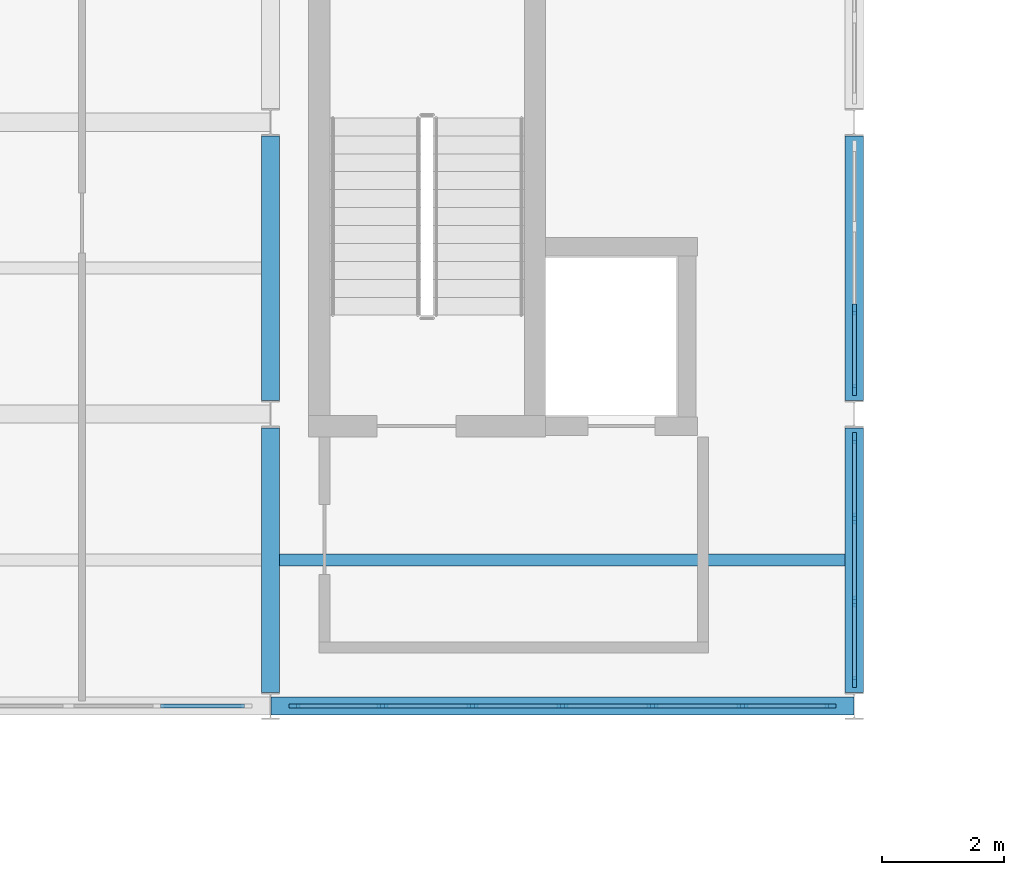
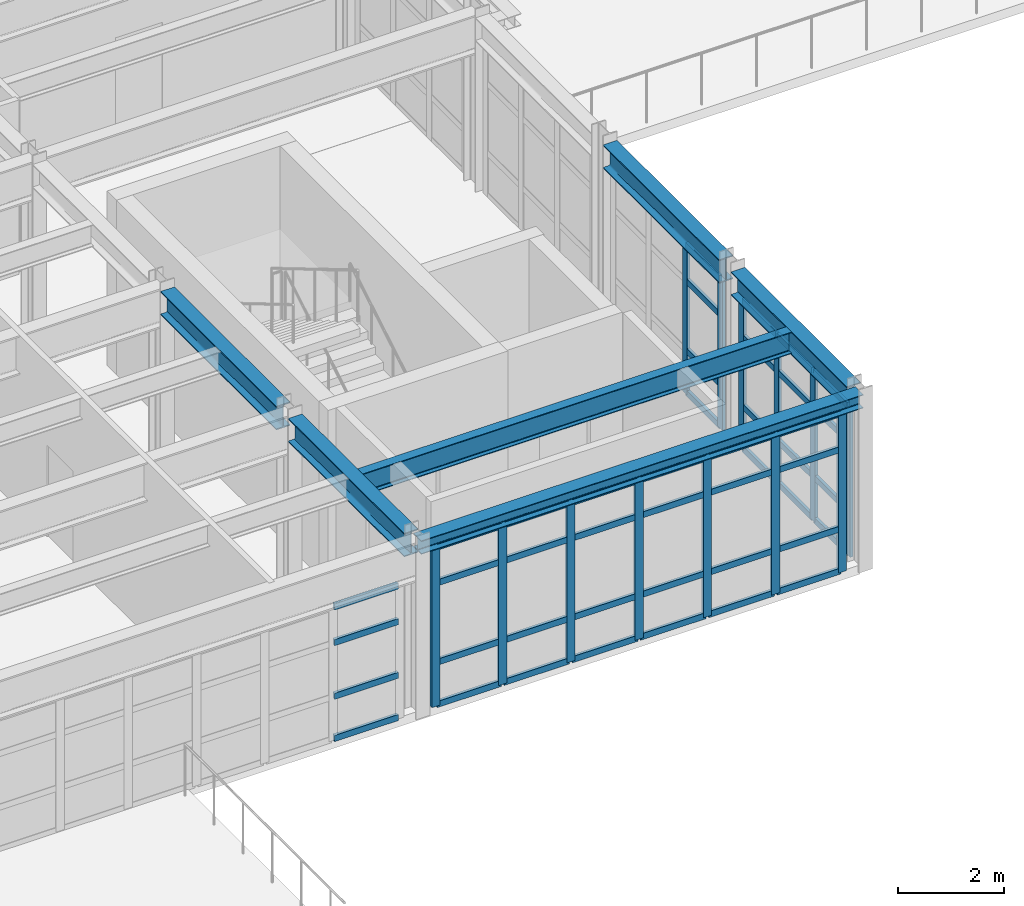
# One storey, part 15 of 47: 57 members, 6 beams, 4 elements without a shape of their own.
"""IFC4 building model written with IfcOpenShell, lengths in metres."""

from ifc_helpers import new_model, si_unit, direction, frame, origin, origin_2d, place, context, subcontext, project, spatial, rectangle, i_section, extrude, material, layer, layer_set, material_profile, profile_set, type_object, element, aggregate, save


model = new_model("IFC4")

# Units and contexts
model_context = context("Model", 3, precision=1e-05, world=origin(), true_north=direction((0.0, 1.0)))
body_context = subcontext(model_context, "Body", "Model", "MODEL_VIEW")
ifc_project = project(units=[si_unit("LENGTHUNIT", "METRE"), si_unit("AREAUNIT", "SQUARE_METRE"), si_unit("VOLUMEUNIT", "CUBIC_METRE"), si_unit("PLANEANGLEUNIT", "RADIAN"), si_unit("MASSUNIT", "GRAM", prefix="KILO")], contexts=[model_context])

# Site, building, storey
site_placement = place(None, origin())
site = spatial("IfcSite", under=ifc_project, at=site_placement, CompositionType="ELEMENT")
building_placement = place(site_placement, origin())
building = spatial("IfcBuilding", under=site, at=building_placement, Name="Nordkorset Police Headquarters", CompositionType="ELEMENT")
storey_placement = place(building_placement, frame((0.0, 0.0, 22.050048828125)))
storey = spatial("IfcBuildingStorey", under=building, at=storey_placement, Name="L05", CompositionType="ELEMENT", Elevation=22.050048828125)

# Beam
ifc_material_1 = material(Name="Steel S355J2", Category="steel")
ifc_material_profile_1 = material_profile(ifc_material_1, i_section(OverallWidth=0.199951171875, OverallDepth=0.5, WebThickness=0.01025390625, FlangeThickness=0.01611328125, FilletRadius=0.02099609375, at=origin_2d()), Name="IPE 500")
ifc_profile_set_1 = profile_set([ifc_material_profile_1], Name="Steel S355J2")
beam_type_1 = type_object("IfcBeamType", Name="Beam_IPE_500", PredefinedType="BEAM", material=ifc_profile_set_1)
beam_1_placement = place(storey_placement, frame((19.35009765625, 85.60009765625, 3.75), z_axis=(1.0, 0.0, 0.0), x_axis=(0.0, 1.0, 0.0)))
element("IfcBeam", 1, at=beam_1_placement, inside=storey, type_object=beam_type_1, Name="Composite Floor Beam V1 L05 1-0-1", PredefinedType="BEAM", context=body_context, shape_type="SweptSolid", body=[
    extrude(i_section(OverallWidth=0.199951171875, OverallDepth=0.5, WebThickness=0.01025390625, FlangeThickness=0.01611328125, FilletRadius=0.02099609375, at=origin_2d()), origin(), (0.0, 0.0, 1.0), 9.2998046875),
])

# Curtain wall, members
ifc_material_2 = material(Name="Aluminium alloy AW-6060", Category="aluminium")
ifc_layer_1 = layer(ifc_material_2, 0.179931640625, Name="Aluminium alloy AW-6060")
ifc_layer_set_1 = layer_set([ifc_layer_1], Name="Aluminium alloy AW-6060")
curtain_wall_type_1 = type_object("IfcCurtainWallType", Name="CW_Unit_408x344", PredefinedType="USERDEFINED", material=ifc_layer_set_1)
curtain_wall_1_placement = place(storey_placement, origin())
curtain_wall_1 = element("IfcCurtainWall", 2, at=curtain_wall_1_placement, inside=storey, type_object=curtain_wall_type_1, Name="Unitised Curtain Wall L05 V1E-0", ObjectType="UNITISED CURTAIN WALL", PredefinedType="USERDEFINED")
ifc_material_3 = material(Name="Aluminium alloy AW-6060", Category="aluminium")
ifc_material_profile_2 = material_profile(ifc_material_3, rectangle(XDim=0.06494140625, YDim=0.179931640625, at=origin_2d()), Name="ALU MULL 65x180")
ifc_profile_set_2 = profile_set([ifc_material_profile_2], Name="Aluminium alloy AW-6060")
member_type_1 = type_object("IfcMemberType", Name="CW_Mullion_65x180", PredefinedType="MULLION", material=ifc_profile_set_2)
member_1_placement = place(storey_placement, frame((28.800048828125, 83.592529296875, 0.0), z_axis=(0.0, 0.0, 1.0), x_axis=(-1.0, 0.0, 0.0)))
member_1 = element("IfcMember", 3, at=member_1_placement, type_object=member_type_1, Name="CW-29 mullion 1", PredefinedType="MULLION", context=body_context, shape_type="SweptSolid", body=[
    extrude(rectangle(XDim=0.06494140625, YDim=0.179931640625, at=origin_2d()), origin(), (0.0, 0.0, 1.0), 3.43994140625),
])
member_2_placement = place(storey_placement, frame((28.800048828125, 84.919921875, 0.0), z_axis=(0.0, 0.0, 1.0), x_axis=(-1.0, 0.0, 0.0)))
member_2 = element("IfcMember", 4, at=member_2_placement, type_object=member_type_1, Name="CW-29 mullion 2", PredefinedType="MULLION", context=body_context, shape_type="SweptSolid", body=[
    extrude(rectangle(XDim=0.06494140625, YDim=0.179931640625, at=origin_2d()), origin(), (0.0, 0.0, 1.0), 3.43994140625),
])
member_3_placement = place(storey_placement, frame((28.800048828125, 86.280029296875, 0.0), z_axis=(0.0, 0.0, 1.0), x_axis=(-1.0, 0.0, 0.0)))
member_3 = element("IfcMember", 5, at=member_3_placement, type_object=member_type_1, Name="CW-29 mullion 3", PredefinedType="MULLION", context=body_context, shape_type="SweptSolid", body=[
    extrude(rectangle(XDim=0.06494140625, YDim=0.179931640625, at=origin_2d()), origin(), (0.0, 0.0, 1.0), 3.43994140625),
])
member_4_placement = place(storey_placement, frame((28.800048828125, 87.607421875, 0.0), z_axis=(0.0, 0.0, 1.0), x_axis=(-1.0, 0.0, 0.0)))
member_4 = element("IfcMember", 6, at=member_4_placement, type_object=member_type_1, Name="CW-29 mullion 4", PredefinedType="MULLION", context=body_context, shape_type="SweptSolid", body=[
    extrude(rectangle(XDim=0.06494140625, YDim=0.179931640625, at=origin_2d()), origin(), (0.0, 0.0, 1.0), 3.43994140625),
])

curtain_wall_2_placement = place(storey_placement, origin())
curtain_wall_2 = element("IfcCurtainWall", 7, at=curtain_wall_2_placement, inside=storey, type_object=curtain_wall_type_1, Name="Unitised Curtain Wall L05 V1E-1", ObjectType="UNITISED CURTAIN WALL", PredefinedType="USERDEFINED")
member_5_placement = place(storey_placement, frame((28.800048828125, 88.392578125, 0.0), z_axis=(0.0, 0.0, 1.0), x_axis=(-1.0, 0.0, 0.0)))
member_5 = element("IfcMember", 8, at=member_5_placement, type_object=member_type_1, Name="CW-29 mullion 1", PredefinedType="MULLION", context=body_context, shape_type="SweptSolid", body=[
    extrude(rectangle(XDim=0.06494140625, YDim=0.179931640625, at=origin_2d()), origin(), (0.0, 0.0, 1.0), 3.43994140625),
])
member_6_placement = place(storey_placement, frame((28.800048828125, 89.719970703125, 0.0), z_axis=(0.0, 0.0, 1.0), x_axis=(-1.0, 0.0, 0.0)))
member_6 = element("IfcMember", 9, at=member_6_placement, type_object=member_type_1, Name="CW-29 mullion 2", PredefinedType="MULLION", context=body_context, shape_type="SweptSolid", body=[
    extrude(rectangle(XDim=0.06494140625, YDim=0.179931640625, at=origin_2d()), origin(), (0.0, 0.0, 1.0), 3.43994140625),
])

ifc_material_4 = material(Name="Aluminium alloy AW-6060", Category="aluminium")
ifc_layer_2 = layer(ifc_material_4, 0.179931640625, Name="Aluminium alloy AW-6060")
ifc_layer_set_2 = layer_set([ifc_layer_2], Name="Aluminium alloy AW-6060")
curtain_wall_type_2 = type_object("IfcCurtainWallType", Name="CW_Unit_888x367", PredefinedType="USERDEFINED", material=ifc_layer_set_2)
curtain_wall_3_placement = place(storey_placement, origin())
curtain_wall_3 = element("IfcCurtainWall", 10, at=curtain_wall_3_placement, inside=storey, type_object=curtain_wall_type_2, Name="Unitised Curtain Wall L05 V1S-2", ObjectType="UNITISED CURTAIN WALL", PredefinedType="USERDEFINED")
member_7_placement = place(storey_placement, frame((19.592529296875, 83.199951171875, 0.0), z_axis=(0.0, 0.0, 1.0), x_axis=(0.0, 1.0, 0.0)))
member_7 = element("IfcMember", 11, at=member_7_placement, type_object=member_type_1, Name="CW-91 mullion 1", PredefinedType="MULLION", context=body_context, shape_type="SweptSolid", body=[
    extrude(rectangle(XDim=0.06494140625, YDim=0.179931640625, at=origin_2d()), origin(), (0.0, 0.0, 1.0), 3.669921875),
])
member_8_placement = place(storey_placement, frame((21.0400390625, 83.199951171875, 0.0), z_axis=(0.0, 0.0, 1.0), x_axis=(0.0, 1.0, 0.0)))
member_8 = element("IfcMember", 12, at=member_8_placement, type_object=member_type_1, Name="CW-91 mullion 2", PredefinedType="MULLION", context=body_context, shape_type="SweptSolid", body=[
    extrude(rectangle(XDim=0.06494140625, YDim=0.179931640625, at=origin_2d()), origin(), (0.0, 0.0, 1.0), 3.669921875),
])
member_9_placement = place(storey_placement, frame((22.52001953125, 83.199951171875, 0.0), z_axis=(0.0, 0.0, 1.0), x_axis=(0.0, 1.0, 0.0)))
member_9 = element("IfcMember", 13, at=member_9_placement, type_object=member_type_1, Name="CW-91 mullion 3", PredefinedType="MULLION", context=body_context, shape_type="SweptSolid", body=[
    extrude(rectangle(XDim=0.06494140625, YDim=0.179931640625, at=origin_2d()), origin(), (0.0, 0.0, 1.0), 3.669921875),
])
member_10_placement = place(storey_placement, frame((24.0, 83.199951171875, 0.0), z_axis=(0.0, 0.0, 1.0), x_axis=(0.0, 1.0, 0.0)))
member_10 = element("IfcMember", 14, at=member_10_placement, type_object=member_type_1, Name="CW-91 mullion 4", PredefinedType="MULLION", context=body_context, shape_type="SweptSolid", body=[
    extrude(rectangle(XDim=0.06494140625, YDim=0.179931640625, at=origin_2d()), origin(), (0.0, 0.0, 1.0), 3.669921875),
])
member_11_placement = place(storey_placement, frame((25.47998046875, 83.199951171875, 0.0), z_axis=(0.0, 0.0, 1.0), x_axis=(0.0, 1.0, 0.0)))
member_11 = element("IfcMember", 15, at=member_11_placement, type_object=member_type_1, Name="CW-91 mullion 5", PredefinedType="MULLION", context=body_context, shape_type="SweptSolid", body=[
    extrude(rectangle(XDim=0.06494140625, YDim=0.179931640625, at=origin_2d()), origin(), (0.0, 0.0, 1.0), 3.669921875),
])
member_12_placement = place(storey_placement, frame((26.9599609375, 83.199951171875, 0.0), z_axis=(0.0, 0.0, 1.0), x_axis=(0.0, 1.0, 0.0)))
member_12 = element("IfcMember", 16, at=member_12_placement, type_object=member_type_1, Name="CW-91 mullion 6", PredefinedType="MULLION", context=body_context, shape_type="SweptSolid", body=[
    extrude(rectangle(XDim=0.06494140625, YDim=0.179931640625, at=origin_2d()), origin(), (0.0, 0.0, 1.0), 3.669921875),
])
member_13_placement = place(storey_placement, frame((28.407470703125, 83.199951171875, 0.0), z_axis=(0.0, 0.0, 1.0), x_axis=(0.0, 1.0, 0.0)))
member_13 = element("IfcMember", 17, at=member_13_placement, type_object=member_type_1, Name="CW-91 mullion 7", PredefinedType="MULLION", context=body_context, shape_type="SweptSolid", body=[
    extrude(rectangle(XDim=0.06494140625, YDim=0.179931640625, at=origin_2d()), origin(), (0.0, 0.0, 1.0), 3.669921875),
])

# Member
ifc_material_5 = material(Name="Aluminium alloy AW-6060", Category="aluminium")
ifc_material_profile_3 = material_profile(ifc_material_5, rectangle(XDim=0.06494140625, YDim=0.139892578125, at=origin_2d()), Name="ALU TRAN 65x140")
ifc_profile_set_3 = profile_set([ifc_material_profile_3], Name="Aluminium alloy AW-6060")
member_type_2 = type_object("IfcMemberType", Name="CW_Transom_65x140", PredefinedType="USERDEFINED", material=ifc_profile_set_3)
member_14_placement = place(storey_placement, frame((28.800048828125, 83.625, 0.032470703125), z_axis=(0.0, 1.0, 0.0), x_axis=(-1.0, 0.0, 0.0)))
member_14 = element("IfcMember", 18, at=member_14_placement, type_object=member_type_2, Name="CW-29 transom 1.1", ObjectType="TRANSOM", PredefinedType="USERDEFINED", context=body_context, shape_type="SweptSolid", body=[
    extrude(rectangle(XDim=0.06494140625, YDim=0.139892578125, at=origin_2d()), origin(), (0.0, 0.0, 1.0), 1.262451171875),
])

member_15_placement = place(storey_placement, frame((28.800048828125, 83.625, 1.0), z_axis=(0.0, 1.0, 0.0), x_axis=(-1.0, 0.0, 0.0)))
member_15 = element("IfcMember", 19, at=member_15_placement, type_object=member_type_2, Name="CW-29 transom 1.2", ObjectType="TRANSOM", PredefinedType="USERDEFINED", context=body_context, shape_type="SweptSolid", body=[
    extrude(rectangle(XDim=0.06494140625, YDim=0.139892578125, at=origin_2d()), origin(), (0.0, 0.0, 1.0), 1.262451171875),
])

member_16_placement = place(storey_placement, frame((28.800048828125, 83.625, 2.58984375), z_axis=(0.0, 1.0, 0.0), x_axis=(-1.0, 0.0, 0.0)))
member_16 = element("IfcMember", 20, at=member_16_placement, type_object=member_type_2, Name="CW-29 transom 1.3", ObjectType="TRANSOM", PredefinedType="USERDEFINED", context=body_context, shape_type="SweptSolid", body=[
    extrude(rectangle(XDim=0.06494140625, YDim=0.139892578125, at=origin_2d()), origin(), (0.0, 0.0, 1.0), 1.262451171875),
])

member_17_placement = place(storey_placement, frame((28.800048828125, 83.625, 3.407470703125), z_axis=(0.0, 1.0, 0.0), x_axis=(-1.0, 0.0, 0.0)))
member_17 = element("IfcMember", 21, at=member_17_placement, type_object=member_type_2, Name="CW-29 transom 1.4", ObjectType="TRANSOM", PredefinedType="USERDEFINED", context=body_context, shape_type="SweptSolid", body=[
    extrude(rectangle(XDim=0.06494140625, YDim=0.139892578125, at=origin_2d()), origin(), (0.0, 0.0, 1.0), 1.262451171875),
])

member_18_placement = place(storey_placement, frame((28.800048828125, 84.952392578125, 0.032470703125), z_axis=(0.0, 1.0, 0.0), x_axis=(-1.0, 0.0, 0.0)))
member_18 = element("IfcMember", 22, at=member_18_placement, type_object=member_type_2, Name="CW-29 transom 2.1", ObjectType="TRANSOM", PredefinedType="USERDEFINED", context=body_context, shape_type="SweptSolid", body=[
    extrude(rectangle(XDim=0.06494140625, YDim=0.139892578125, at=origin_2d()), origin(), (0.0, 0.0, 1.0), 1.295166015625),
])

member_19_placement = place(storey_placement, frame((28.800048828125, 84.952392578125, 1.0), z_axis=(0.0, 1.0, 0.0), x_axis=(-1.0, 0.0, 0.0)))
member_19 = element("IfcMember", 23, at=member_19_placement, type_object=member_type_2, Name="CW-29 transom 2.2", ObjectType="TRANSOM", PredefinedType="USERDEFINED", context=body_context, shape_type="SweptSolid", body=[
    extrude(rectangle(XDim=0.06494140625, YDim=0.139892578125, at=origin_2d()), origin(), (0.0, 0.0, 1.0), 1.295166015625),
])

member_20_placement = place(storey_placement, frame((28.800048828125, 84.952392578125, 2.58984375), z_axis=(0.0, 1.0, 0.0), x_axis=(-1.0, 0.0, 0.0)))
member_20 = element("IfcMember", 24, at=member_20_placement, type_object=member_type_2, Name="CW-29 transom 2.3", ObjectType="TRANSOM", PredefinedType="USERDEFINED", context=body_context, shape_type="SweptSolid", body=[
    extrude(rectangle(XDim=0.06494140625, YDim=0.139892578125, at=origin_2d()), origin(), (0.0, 0.0, 1.0), 1.295166015625),
])

member_21_placement = place(storey_placement, frame((28.800048828125, 84.952392578125, 3.407470703125), z_axis=(0.0, 1.0, 0.0), x_axis=(-1.0, 0.0, 0.0)))
member_21 = element("IfcMember", 25, at=member_21_placement, type_object=member_type_2, Name="CW-29 transom 2.4", ObjectType="TRANSOM", PredefinedType="USERDEFINED", context=body_context, shape_type="SweptSolid", body=[
    extrude(rectangle(XDim=0.06494140625, YDim=0.139892578125, at=origin_2d()), origin(), (0.0, 0.0, 1.0), 1.295166015625),
])

member_22_placement = place(storey_placement, frame((28.800048828125, 86.3125, 0.032470703125), z_axis=(0.0, 1.0, 0.0), x_axis=(-1.0, 0.0, 0.0)))
member_22 = element("IfcMember", 26, at=member_22_placement, type_object=member_type_2, Name="CW-29 transom 3.1", ObjectType="TRANSOM", PredefinedType="USERDEFINED", context=body_context, shape_type="SweptSolid", body=[
    extrude(rectangle(XDim=0.06494140625, YDim=0.139892578125, at=origin_2d()), origin(), (0.0, 0.0, 1.0), 1.262451171875),
])

member_23_placement = place(storey_placement, frame((28.800048828125, 86.3125, 1.0), z_axis=(0.0, 1.0, 0.0), x_axis=(-1.0, 0.0, 0.0)))
member_23 = element("IfcMember", 27, at=member_23_placement, type_object=member_type_2, Name="CW-29 transom 3.2", ObjectType="TRANSOM", PredefinedType="USERDEFINED", context=body_context, shape_type="SweptSolid", body=[
    extrude(rectangle(XDim=0.06494140625, YDim=0.139892578125, at=origin_2d()), origin(), (0.0, 0.0, 1.0), 1.262451171875),
])

member_24_placement = place(storey_placement, frame((28.800048828125, 86.3125, 2.58984375), z_axis=(0.0, 1.0, 0.0), x_axis=(-1.0, 0.0, 0.0)))
member_24 = element("IfcMember", 28, at=member_24_placement, type_object=member_type_2, Name="CW-29 transom 3.3", ObjectType="TRANSOM", PredefinedType="USERDEFINED", context=body_context, shape_type="SweptSolid", body=[
    extrude(rectangle(XDim=0.06494140625, YDim=0.139892578125, at=origin_2d()), origin(), (0.0, 0.0, 1.0), 1.262451171875),
])

member_25_placement = place(storey_placement, frame((28.800048828125, 86.3125, 3.407470703125), z_axis=(0.0, 1.0, 0.0), x_axis=(-1.0, 0.0, 0.0)))
member_25 = element("IfcMember", 29, at=member_25_placement, type_object=member_type_2, Name="CW-29 transom 3.4", ObjectType="TRANSOM", PredefinedType="USERDEFINED", context=body_context, shape_type="SweptSolid", body=[
    extrude(rectangle(XDim=0.06494140625, YDim=0.139892578125, at=origin_2d()), origin(), (0.0, 0.0, 1.0), 1.262451171875),
])

aggregate(curtain_wall_1, [member_1, member_2, member_3, member_4, member_14, member_15, member_16, member_17, member_18, member_19, member_20, member_21, member_22, member_23, member_24, member_25])

member_26_placement = place(storey_placement, frame((28.800048828125, 88.425048828125, 0.032470703125), z_axis=(0.0, 1.0, 0.0), x_axis=(-1.0, 0.0, 0.0)))
member_26 = element("IfcMember", 30, at=member_26_placement, type_object=member_type_2, Name="CW-29 transom 1.1", ObjectType="TRANSOM", PredefinedType="USERDEFINED", context=body_context, shape_type="SweptSolid", body=[
    extrude(rectangle(XDim=0.06494140625, YDim=0.139892578125, at=origin_2d()), origin(), (0.0, 0.0, 1.0), 1.262451171875),
])

member_27_placement = place(storey_placement, frame((28.800048828125, 88.425048828125, 1.0), z_axis=(0.0, 1.0, 0.0), x_axis=(-1.0, 0.0, 0.0)))
member_27 = element("IfcMember", 31, at=member_27_placement, type_object=member_type_2, Name="CW-29 transom 1.2", ObjectType="TRANSOM", PredefinedType="USERDEFINED", context=body_context, shape_type="SweptSolid", body=[
    extrude(rectangle(XDim=0.06494140625, YDim=0.139892578125, at=origin_2d()), origin(), (0.0, 0.0, 1.0), 1.262451171875),
])

member_28_placement = place(storey_placement, frame((28.800048828125, 88.425048828125, 2.58984375), z_axis=(0.0, 1.0, 0.0), x_axis=(-1.0, 0.0, 0.0)))
member_28 = element("IfcMember", 32, at=member_28_placement, type_object=member_type_2, Name="CW-29 transom 1.3", ObjectType="TRANSOM", PredefinedType="USERDEFINED", context=body_context, shape_type="SweptSolid", body=[
    extrude(rectangle(XDim=0.06494140625, YDim=0.139892578125, at=origin_2d()), origin(), (0.0, 0.0, 1.0), 1.262451171875),
])

member_29_placement = place(storey_placement, frame((28.800048828125, 88.425048828125, 3.407470703125), z_axis=(0.0, 1.0, 0.0), x_axis=(-1.0, 0.0, 0.0)))
member_29 = element("IfcMember", 33, at=member_29_placement, type_object=member_type_2, Name="CW-29 transom 1.4", ObjectType="TRANSOM", PredefinedType="USERDEFINED", context=body_context, shape_type="SweptSolid", body=[
    extrude(rectangle(XDim=0.06494140625, YDim=0.139892578125, at=origin_2d()), origin(), (0.0, 0.0, 1.0), 1.262451171875),
])

aggregate(curtain_wall_2, [member_5, member_6, member_26, member_27, member_28, member_29])

# Curtain wall, members
ifc_material_6 = material(Name="Aluminium alloy AW-6060", Category="aluminium")
ifc_layer_3 = layer(ifc_material_6, 0.179931640625, Name="Aluminium alloy AW-6060")
ifc_layer_set_3 = layer_set([ifc_layer_3], Name="Aluminium alloy AW-6060")
curtain_wall_type_3 = type_object("IfcCurtainWallType", Name="CW_Unit_888x308", PredefinedType="USERDEFINED", material=ifc_layer_set_3)
curtain_wall_4_placement = place(storey_placement, origin())
curtain_wall_4 = element("IfcCurtainWall", 34, at=curtain_wall_4_placement, inside=storey, type_object=curtain_wall_type_3, Name="Unitised Curtain Wall L05 V1S-1", ObjectType="UNITISED CURTAIN WALL", PredefinedType="USERDEFINED")
member_30_placement = place(storey_placement, frame((17.392578125, 83.199951171875, 0.032470703125), z_axis=(1.0, 0.0, 0.0), x_axis=(0.0, 1.0, 0.0)))
member_30 = element("IfcMember", 35, at=member_30_placement, type_object=member_type_2, Name="CW-81 transom 6.1", ObjectType="TRANSOM", PredefinedType="USERDEFINED", context=body_context, shape_type="SweptSolid", body=[
    extrude(rectangle(XDim=0.06494140625, YDim=0.139892578125, at=origin_2d()), origin(), (0.0, 0.0, 1.0), 1.38232421875),
])
member_31_placement = place(storey_placement, frame((17.392578125, 83.199951171875, 1.0), z_axis=(1.0, 0.0, 0.0), x_axis=(0.0, 1.0, 0.0)))
member_31 = element("IfcMember", 36, at=member_31_placement, type_object=member_type_2, Name="CW-81 transom 6.2", ObjectType="TRANSOM", PredefinedType="USERDEFINED", context=body_context, shape_type="SweptSolid", body=[
    extrude(rectangle(XDim=0.06494140625, YDim=0.139892578125, at=origin_2d()), origin(), (0.0, 0.0, 1.0), 1.38232421875),
])
member_32_placement = place(storey_placement, frame((17.392578125, 83.199951171875, 2.22998046875), z_axis=(1.0, 0.0, 0.0), x_axis=(0.0, 1.0, 0.0)))
member_32 = element("IfcMember", 37, at=member_32_placement, type_object=member_type_2, Name="CW-81 transom 6.3", ObjectType="TRANSOM", PredefinedType="USERDEFINED", context=body_context, shape_type="SweptSolid", body=[
    extrude(rectangle(XDim=0.06494140625, YDim=0.139892578125, at=origin_2d()), origin(), (0.0, 0.0, 1.0), 1.38232421875),
])
member_33_placement = place(storey_placement, frame((17.392578125, 83.199951171875, 3.04736328125), z_axis=(1.0, 0.0, 0.0), x_axis=(0.0, 1.0, 0.0)))
member_33 = element("IfcMember", 38, at=member_33_placement, type_object=member_type_2, Name="CW-81 transom 6.4", ObjectType="TRANSOM", PredefinedType="USERDEFINED", context=body_context, shape_type="SweptSolid", body=[
    extrude(rectangle(XDim=0.06494140625, YDim=0.139892578125, at=origin_2d()), origin(), (0.0, 0.0, 1.0), 1.38232421875),
])
aggregate(curtain_wall_4, [member_30, member_31, member_32, member_33])

# Member
member_34_placement = place(storey_placement, frame((19.625, 83.199951171875, 0.032470703125), z_axis=(1.0, 0.0, 0.0), x_axis=(0.0, 1.0, 0.0)))
member_34 = element("IfcMember", 39, at=member_34_placement, type_object=member_type_2, Name="CW-91 transom 1.1", ObjectType="TRANSOM", PredefinedType="USERDEFINED", context=body_context, shape_type="SweptSolid", body=[
    extrude(rectangle(XDim=0.06494140625, YDim=0.139892578125, at=origin_2d()), origin(), (0.0, 0.0, 1.0), 1.382568359375),
])

member_35_placement = place(storey_placement, frame((19.625, 83.199951171875, 1.0), z_axis=(1.0, 0.0, 0.0), x_axis=(0.0, 1.0, 0.0)))
member_35 = element("IfcMember", 40, at=member_35_placement, type_object=member_type_2, Name="CW-91 transom 1.2", ObjectType="TRANSOM", PredefinedType="USERDEFINED", context=body_context, shape_type="SweptSolid", body=[
    extrude(rectangle(XDim=0.06494140625, YDim=0.139892578125, at=origin_2d()), origin(), (0.0, 0.0, 1.0), 1.382568359375),
])

member_36_placement = place(storey_placement, frame((19.625, 83.199951171875, 2.820068359375), z_axis=(1.0, 0.0, 0.0), x_axis=(0.0, 1.0, 0.0)))
member_36 = element("IfcMember", 41, at=member_36_placement, type_object=member_type_2, Name="CW-91 transom 1.3", ObjectType="TRANSOM", PredefinedType="USERDEFINED", context=body_context, shape_type="SweptSolid", body=[
    extrude(rectangle(XDim=0.06494140625, YDim=0.139892578125, at=origin_2d()), origin(), (0.0, 0.0, 1.0), 1.382568359375),
])

member_37_placement = place(storey_placement, frame((19.625, 83.199951171875, 3.637451171875), z_axis=(1.0, 0.0, 0.0), x_axis=(0.0, 1.0, 0.0)))
member_37 = element("IfcMember", 42, at=member_37_placement, type_object=member_type_2, Name="CW-91 transom 1.4", ObjectType="TRANSOM", PredefinedType="USERDEFINED", context=body_context, shape_type="SweptSolid", body=[
    extrude(rectangle(XDim=0.06494140625, YDim=0.139892578125, at=origin_2d()), origin(), (0.0, 0.0, 1.0), 1.382568359375),
])

member_38_placement = place(storey_placement, frame((21.072509765625, 83.199951171875, 0.032470703125), z_axis=(1.0, 0.0, 0.0), x_axis=(0.0, 1.0, 0.0)))
member_38 = element("IfcMember", 43, at=member_38_placement, type_object=member_type_2, Name="CW-91 transom 2.1", ObjectType="TRANSOM", PredefinedType="USERDEFINED", context=body_context, shape_type="SweptSolid", body=[
    extrude(rectangle(XDim=0.06494140625, YDim=0.139892578125, at=origin_2d()), origin(), (0.0, 0.0, 1.0), 1.4150390625),
])

member_39_placement = place(storey_placement, frame((21.072509765625, 83.199951171875, 1.0), z_axis=(1.0, 0.0, 0.0), x_axis=(0.0, 1.0, 0.0)))
member_39 = element("IfcMember", 44, at=member_39_placement, type_object=member_type_2, Name="CW-91 transom 2.2", ObjectType="TRANSOM", PredefinedType="USERDEFINED", context=body_context, shape_type="SweptSolid", body=[
    extrude(rectangle(XDim=0.06494140625, YDim=0.139892578125, at=origin_2d()), origin(), (0.0, 0.0, 1.0), 1.4150390625),
])

member_40_placement = place(storey_placement, frame((21.072509765625, 83.199951171875, 2.820068359375), z_axis=(1.0, 0.0, 0.0), x_axis=(0.0, 1.0, 0.0)))
member_40 = element("IfcMember", 45, at=member_40_placement, type_object=member_type_2, Name="CW-91 transom 2.3", ObjectType="TRANSOM", PredefinedType="USERDEFINED", context=body_context, shape_type="SweptSolid", body=[
    extrude(rectangle(XDim=0.06494140625, YDim=0.139892578125, at=origin_2d()), origin(), (0.0, 0.0, 1.0), 1.4150390625),
])

member_41_placement = place(storey_placement, frame((21.072509765625, 83.199951171875, 3.637451171875), z_axis=(1.0, 0.0, 0.0), x_axis=(0.0, 1.0, 0.0)))
member_41 = element("IfcMember", 46, at=member_41_placement, type_object=member_type_2, Name="CW-91 transom 2.4", ObjectType="TRANSOM", PredefinedType="USERDEFINED", context=body_context, shape_type="SweptSolid", body=[
    extrude(rectangle(XDim=0.06494140625, YDim=0.139892578125, at=origin_2d()), origin(), (0.0, 0.0, 1.0), 1.4150390625),
])

member_42_placement = place(storey_placement, frame((22.552490234375, 83.199951171875, 0.032470703125), z_axis=(1.0, 0.0, 0.0), x_axis=(0.0, 1.0, 0.0)))
member_42 = element("IfcMember", 47, at=member_42_placement, type_object=member_type_2, Name="CW-91 transom 3.1", ObjectType="TRANSOM", PredefinedType="USERDEFINED", context=body_context, shape_type="SweptSolid", body=[
    extrude(rectangle(XDim=0.06494140625, YDim=0.139892578125, at=origin_2d()), origin(), (0.0, 0.0, 1.0), 1.4150390625),
])

member_43_placement = place(storey_placement, frame((22.552490234375, 83.199951171875, 1.0), z_axis=(1.0, 0.0, 0.0), x_axis=(0.0, 1.0, 0.0)))
member_43 = element("IfcMember", 48, at=member_43_placement, type_object=member_type_2, Name="CW-91 transom 3.2", ObjectType="TRANSOM", PredefinedType="USERDEFINED", context=body_context, shape_type="SweptSolid", body=[
    extrude(rectangle(XDim=0.06494140625, YDim=0.139892578125, at=origin_2d()), origin(), (0.0, 0.0, 1.0), 1.4150390625),
])

member_44_placement = place(storey_placement, frame((22.552490234375, 83.199951171875, 2.820068359375), z_axis=(1.0, 0.0, 0.0), x_axis=(0.0, 1.0, 0.0)))
member_44 = element("IfcMember", 49, at=member_44_placement, type_object=member_type_2, Name="CW-91 transom 3.3", ObjectType="TRANSOM", PredefinedType="USERDEFINED", context=body_context, shape_type="SweptSolid", body=[
    extrude(rectangle(XDim=0.06494140625, YDim=0.139892578125, at=origin_2d()), origin(), (0.0, 0.0, 1.0), 1.4150390625),
])

member_45_placement = place(storey_placement, frame((22.552490234375, 83.199951171875, 3.637451171875), z_axis=(1.0, 0.0, 0.0), x_axis=(0.0, 1.0, 0.0)))
member_45 = element("IfcMember", 50, at=member_45_placement, type_object=member_type_2, Name="CW-91 transom 3.4", ObjectType="TRANSOM", PredefinedType="USERDEFINED", context=body_context, shape_type="SweptSolid", body=[
    extrude(rectangle(XDim=0.06494140625, YDim=0.139892578125, at=origin_2d()), origin(), (0.0, 0.0, 1.0), 1.4150390625),
])

member_46_placement = place(storey_placement, frame((24.032470703125, 83.199951171875, 0.032470703125), z_axis=(1.0, 0.0, 0.0), x_axis=(0.0, 1.0, 0.0)))
member_46 = element("IfcMember", 51, at=member_46_placement, type_object=member_type_2, Name="CW-91 transom 4.1", ObjectType="TRANSOM", PredefinedType="USERDEFINED", context=body_context, shape_type="SweptSolid", body=[
    extrude(rectangle(XDim=0.06494140625, YDim=0.139892578125, at=origin_2d()), origin(), (0.0, 0.0, 1.0), 1.4150390625),
])

member_47_placement = place(storey_placement, frame((24.032470703125, 83.199951171875, 1.0), z_axis=(1.0, 0.0, 0.0), x_axis=(0.0, 1.0, 0.0)))
member_47 = element("IfcMember", 52, at=member_47_placement, type_object=member_type_2, Name="CW-91 transom 4.2", ObjectType="TRANSOM", PredefinedType="USERDEFINED", context=body_context, shape_type="SweptSolid", body=[
    extrude(rectangle(XDim=0.06494140625, YDim=0.139892578125, at=origin_2d()), origin(), (0.0, 0.0, 1.0), 1.4150390625),
])

member_48_placement = place(storey_placement, frame((24.032470703125, 83.199951171875, 2.820068359375), z_axis=(1.0, 0.0, 0.0), x_axis=(0.0, 1.0, 0.0)))
member_48 = element("IfcMember", 53, at=member_48_placement, type_object=member_type_2, Name="CW-91 transom 4.3", ObjectType="TRANSOM", PredefinedType="USERDEFINED", context=body_context, shape_type="SweptSolid", body=[
    extrude(rectangle(XDim=0.06494140625, YDim=0.139892578125, at=origin_2d()), origin(), (0.0, 0.0, 1.0), 1.4150390625),
])

member_49_placement = place(storey_placement, frame((24.032470703125, 83.199951171875, 3.637451171875), z_axis=(1.0, 0.0, 0.0), x_axis=(0.0, 1.0, 0.0)))
member_49 = element("IfcMember", 54, at=member_49_placement, type_object=member_type_2, Name="CW-91 transom 4.4", ObjectType="TRANSOM", PredefinedType="USERDEFINED", context=body_context, shape_type="SweptSolid", body=[
    extrude(rectangle(XDim=0.06494140625, YDim=0.139892578125, at=origin_2d()), origin(), (0.0, 0.0, 1.0), 1.4150390625),
])

member_50_placement = place(storey_placement, frame((25.512451171875, 83.199951171875, 0.032470703125), z_axis=(1.0, 0.0, 0.0), x_axis=(0.0, 1.0, 0.0)))
member_50 = element("IfcMember", 55, at=member_50_placement, type_object=member_type_2, Name="CW-91 transom 5.1", ObjectType="TRANSOM", PredefinedType="USERDEFINED", context=body_context, shape_type="SweptSolid", body=[
    extrude(rectangle(XDim=0.06494140625, YDim=0.139892578125, at=origin_2d()), origin(), (0.0, 0.0, 1.0), 1.4150390625),
])

member_51_placement = place(storey_placement, frame((25.512451171875, 83.199951171875, 1.0), z_axis=(1.0, 0.0, 0.0), x_axis=(0.0, 1.0, 0.0)))
member_51 = element("IfcMember", 56, at=member_51_placement, type_object=member_type_2, Name="CW-91 transom 5.2", ObjectType="TRANSOM", PredefinedType="USERDEFINED", context=body_context, shape_type="SweptSolid", body=[
    extrude(rectangle(XDim=0.06494140625, YDim=0.139892578125, at=origin_2d()), origin(), (0.0, 0.0, 1.0), 1.4150390625),
])

member_52_placement = place(storey_placement, frame((25.512451171875, 83.199951171875, 2.820068359375), z_axis=(1.0, 0.0, 0.0), x_axis=(0.0, 1.0, 0.0)))
member_52 = element("IfcMember", 57, at=member_52_placement, type_object=member_type_2, Name="CW-91 transom 5.3", ObjectType="TRANSOM", PredefinedType="USERDEFINED", context=body_context, shape_type="SweptSolid", body=[
    extrude(rectangle(XDim=0.06494140625, YDim=0.139892578125, at=origin_2d()), origin(), (0.0, 0.0, 1.0), 1.4150390625),
])

member_53_placement = place(storey_placement, frame((25.512451171875, 83.199951171875, 3.637451171875), z_axis=(1.0, 0.0, 0.0), x_axis=(0.0, 1.0, 0.0)))
member_53 = element("IfcMember", 58, at=member_53_placement, type_object=member_type_2, Name="CW-91 transom 5.4", ObjectType="TRANSOM", PredefinedType="USERDEFINED", context=body_context, shape_type="SweptSolid", body=[
    extrude(rectangle(XDim=0.06494140625, YDim=0.139892578125, at=origin_2d()), origin(), (0.0, 0.0, 1.0), 1.4150390625),
])

member_54_placement = place(storey_placement, frame((26.992431640625, 83.199951171875, 0.032470703125), z_axis=(1.0, 0.0, 0.0), x_axis=(0.0, 1.0, 0.0)))
member_54 = element("IfcMember", 59, at=member_54_placement, type_object=member_type_2, Name="CW-91 transom 6.1", ObjectType="TRANSOM", PredefinedType="USERDEFINED", context=body_context, shape_type="SweptSolid", body=[
    extrude(rectangle(XDim=0.06494140625, YDim=0.139892578125, at=origin_2d()), origin(), (0.0, 0.0, 1.0), 1.382568359375),
])

member_55_placement = place(storey_placement, frame((26.992431640625, 83.199951171875, 1.0), z_axis=(1.0, 0.0, 0.0), x_axis=(0.0, 1.0, 0.0)))
member_55 = element("IfcMember", 60, at=member_55_placement, type_object=member_type_2, Name="CW-91 transom 6.2", ObjectType="TRANSOM", PredefinedType="USERDEFINED", context=body_context, shape_type="SweptSolid", body=[
    extrude(rectangle(XDim=0.06494140625, YDim=0.139892578125, at=origin_2d()), origin(), (0.0, 0.0, 1.0), 1.382568359375),
])

member_56_placement = place(storey_placement, frame((26.992431640625, 83.199951171875, 2.820068359375), z_axis=(1.0, 0.0, 0.0), x_axis=(0.0, 1.0, 0.0)))
member_56 = element("IfcMember", 61, at=member_56_placement, type_object=member_type_2, Name="CW-91 transom 6.3", ObjectType="TRANSOM", PredefinedType="USERDEFINED", context=body_context, shape_type="SweptSolid", body=[
    extrude(rectangle(XDim=0.06494140625, YDim=0.139892578125, at=origin_2d()), origin(), (0.0, 0.0, 1.0), 1.382568359375),
])

member_57_placement = place(storey_placement, frame((26.992431640625, 83.199951171875, 3.637451171875), z_axis=(1.0, 0.0, 0.0), x_axis=(0.0, 1.0, 0.0)))
member_57 = element("IfcMember", 62, at=member_57_placement, type_object=member_type_2, Name="CW-91 transom 6.4", ObjectType="TRANSOM", PredefinedType="USERDEFINED", context=body_context, shape_type="SweptSolid", body=[
    extrude(rectangle(XDim=0.06494140625, YDim=0.139892578125, at=origin_2d()), origin(), (0.0, 0.0, 1.0), 1.382568359375),
])

aggregate(curtain_wall_3, [member_7, member_8, member_9, member_10, member_11, member_12, member_13, member_34, member_35, member_36, member_37, member_38, member_39, member_40, member_41, member_42, member_43, member_44, member_45, member_46, member_47, member_48, member_49, member_50, member_51, member_52, member_53, member_54, member_55, member_56, member_57])

# Beams
ifc_material_7 = material(Name="Steel S355J2", Category="steel")
ifc_material_profile_4 = material_profile(ifc_material_7, i_section(OverallWidth=0.300048828125, OverallDepth=0.5400390625, WebThickness=0.012451171875, FlangeThickness=0.02392578125, FilletRadius=0.027099609375, at=origin_2d()), Name="HEA 550")
ifc_profile_set_4 = profile_set([ifc_material_profile_4], Name="Steel S355J2")
beam_type_2 = type_object("IfcBeamType", Name="Girder_HEA_550", PredefinedType="USERDEFINED", material=ifc_profile_set_4)
for number, where, z_axis, x_axis, name in (
    (63, (19.199951171875, 83.425048828125, 3.72998046875), (0.0, 1.0, 0.0), (-1.0, 0.0, 0.0), "Girder V1 L05 GY-1-0"),
    (64, (19.199951171875, 88.22509765625, 3.72998046875), (0.0, 1.0, 0.0), (-1.0, 0.0, 0.0), "Girder V1 L05 GY-1-1"),
    (65, (28.800048828125, 83.425048828125, 3.72998046875), (0.0, 1.0, 0.0), (-1.0, 0.0, 0.0), "Girder V1 L05 GY-2-0"),
    (66, (28.800048828125, 88.22509765625, 3.72998046875), (0.0, 1.0, 0.0), (-1.0, 0.0, 0.0), "Girder V1 L05 GY-2-1"),
):
    element("IfcBeam", number, at=place(storey_placement, frame(where, z_axis=z_axis, x_axis=x_axis)), inside=storey, type_object=beam_type_2, Name=name, ObjectType="GIRDER", PredefinedType="USERDEFINED", context=body_context, shape_type="SweptSolid", body=[
        extrude(i_section(OverallWidth=0.300048828125, OverallDepth=0.5400390625, WebThickness=0.012451171875, FlangeThickness=0.02392578125, FilletRadius=0.027099609375, at=origin_2d()), origin(), (0.0, 0.0, 1.0), 4.349853515625),
    ])
ifc_material_8 = material(Name="Steel S355J2", Category="steel")
ifc_material_profile_5 = material_profile(ifc_material_8, i_section(OverallWidth=0.300048828125, OverallDepth=0.31005859375, WebThickness=0.009033203125, FlangeThickness=0.015380859375, FilletRadius=0.027099609375, at=origin_2d()), Name="HEA 320")
ifc_profile_set_5 = profile_set([ifc_material_profile_5], Name="Steel S355J2")
beam_type_3 = type_object("IfcBeamType", Name="Spandrel_HEA_320", PredefinedType="SPANDREL", material=ifc_profile_set_5)
beam_2_placement = place(storey_placement, frame((19.20703125, 83.199951171875, 3.844970703125), z_axis=(1.0, 0.0, 0.0), x_axis=(0.0, 1.0, 0.0)))
element("IfcBeam", 67, at=beam_2_placement, inside=storey, type_object=beam_type_3, Name="Girder V1 L05 GX-0-1", PredefinedType="SPANDREL", context=body_context, shape_type="SweptSolid", body=[
    extrude(i_section(OverallWidth=0.300048828125, OverallDepth=0.31005859375, WebThickness=0.009033203125, FlangeThickness=0.015380859375, FilletRadius=0.027099609375, at=origin_2d()), origin(), (0.0, 0.0, 1.0), 9.5859375),
])

save(model, "model.ifc")
